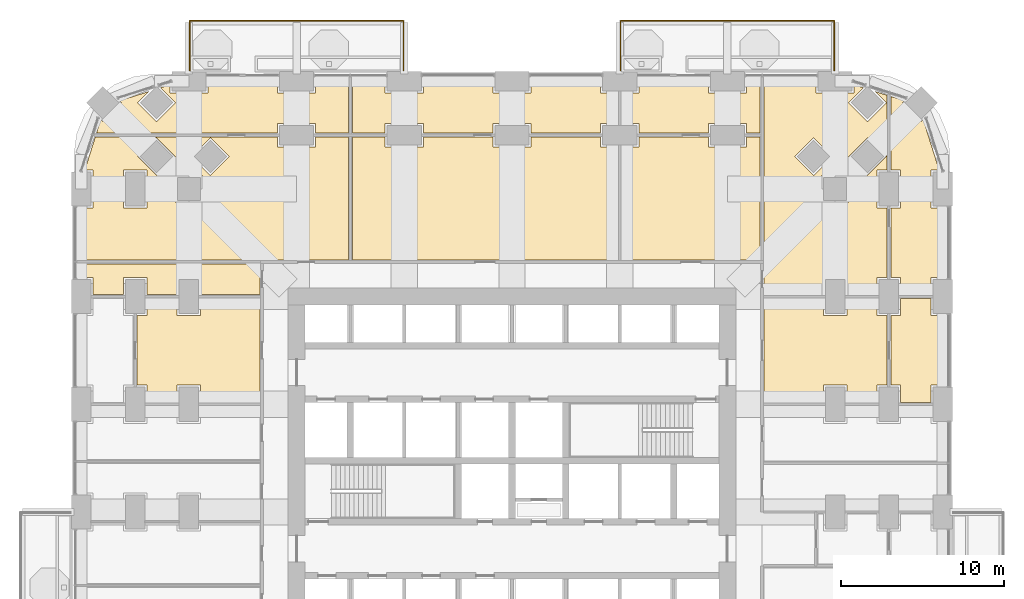
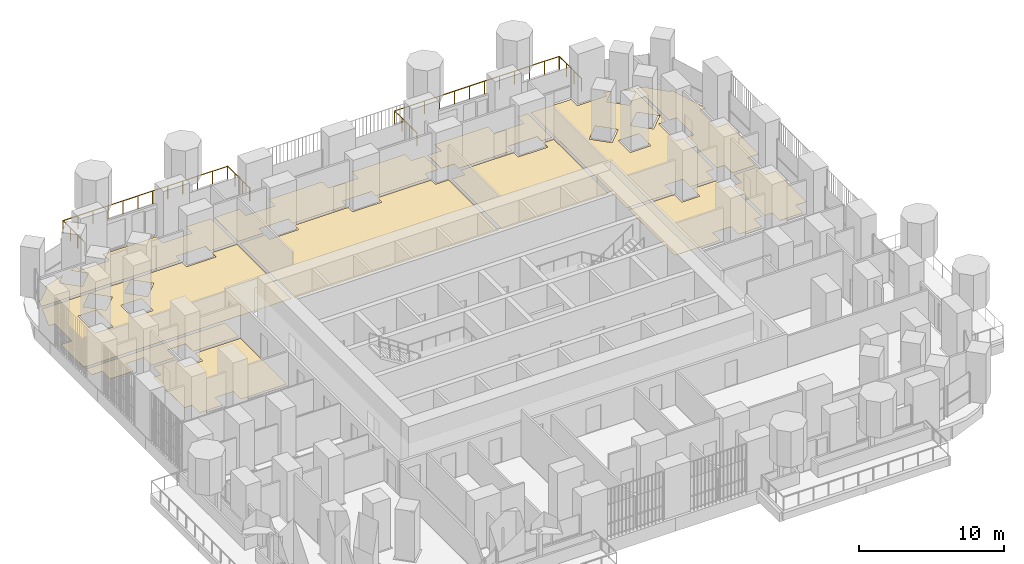
# One storey, part 26 of 27: 12 coverings, 2 railings.
"""IFC4 building model written with IfcOpenShell, lengths in metres."""

from ifc_helpers import new_model, si_unit, direction, frame, origin, place, context, subcontext, project, spatial, polyline, outline, extrude, material, layer, layer_set, type_object, element, save


model = new_model("IFC4")

# Units and contexts
model_context = context("Model", 3, precision=1e-05, world=origin(), true_north=direction((0.0, 1.0)))
body_context = subcontext(model_context, "Body", "Model", "MODEL_VIEW")
ifc_project = project(units=[si_unit("LENGTHUNIT", "METRE"), si_unit("AREAUNIT", "SQUARE_METRE"), si_unit("VOLUMEUNIT", "CUBIC_METRE"), si_unit("PLANEANGLEUNIT", "RADIAN"), si_unit("MASSUNIT", "GRAM", prefix="KILO")], contexts=[model_context])

# Site, building, storey
site_placement = place(None, origin())
site = spatial("IfcSite", under=ifc_project, at=site_placement, CompositionType="ELEMENT")
building_placement = place(site_placement, origin())
building = spatial("IfcBuilding", under=site, at=building_placement, Name="Cobogo Forest Laboratory Tower", CompositionType="ELEMENT")
storey_placement = place(building_placement, frame((0.0, 0.0, 63.300048828125)))
storey = spatial("IfcBuildingStorey", under=building, at=storey_placement, Name="L14", CompositionType="ELEMENT", Elevation=63.300048828125)

# Railings
ifc_material_1 = material(Name="Laminated glass balustrade", Category="glass")
railing_type = type_object("IfcRailingType", Name="BG1 glass balustrade 1100", PredefinedType="GUARDRAIL", material=ifc_material_1)
railing_1_placement = place(storey_placement, frame((6.64990234375, 46.85009765625, 0.0)))
element("IfcRailing", 1, at=railing_1_placement, inside=storey, type_object=railing_type, Name="Balcony balustrade BAL-N1 L14", PredefinedType="GUARDRAIL", context=body_context, shape_type="SweptSolid", body=[
    extrude(outline(polyline([(0.022216796875, 0.00927734375), (0.00927734375, 0.022216796875), (-0.00927734375, 0.022216796875), (-0.022216796875, 0.00927734375), (-0.022216796875, -0.00927734375), (-0.00927734375, -0.022216796875), (0.00927734375, -0.022216796875), (0.022216796875, -0.00927734375), (0.022216796875, 0.00927734375)])), frame((0.0, 0.0, 1.077880859375), z_axis=(0.0, 1.0, 0.0), x_axis=(-1.0, 0.0, 0.0)), (0.0, 0.0, 1.0), 3.0498046875),
    extrude(outline(polyline([(0.022216796875, 0.00927734375), (0.00927734375, 0.022216796875), (-0.00927734375, 0.022216796875), (-0.022216796875, 0.00927734375), (-0.022216796875, -0.00927734375), (-0.00927734375, -0.022216796875), (0.00927734375, -0.022216796875), (0.022216796875, -0.00927734375), (0.022216796875, 0.00927734375)])), frame((0.0, 3.0498046875, 1.077880859375), z_axis=(1.0, 0.0, 0.0), x_axis=(0.0, 1.0, 0.0)), (0.0, 0.0, 1.0), 13.10009765625),
    extrude(outline(polyline([(0.022216796875, 0.00927734375), (0.00927734375, 0.022216796875), (-0.00927734375, 0.022216796875), (-0.022216796875, 0.00927734375), (-0.022216796875, -0.00927734375), (-0.00927734375, -0.022216796875), (0.00927734375, -0.022216796875), (0.022216796875, -0.00927734375), (0.022216796875, 0.00927734375)])), frame((13.10009765625, 3.0498046875, 1.077880859375), z_axis=(0.0, -1.0, 0.0), x_axis=(1.0, 0.0, 0.0)), (0.0, 0.0, 1.0), 3.0498046875),
    extrude(outline(polyline([(0.019287109375, 0.008056640625), (0.008056640625, 0.019287109375), (-0.008056640625, 0.019287109375), (-0.019287109375, 0.008056640625), (-0.019287109375, -0.008056640625), (-0.008056640625, -0.019287109375), (0.008056640625, -0.019287109375), (0.019287109375, -0.008056640625), (0.019287109375, 0.008056640625)])), origin(), (0.0, 0.0, 1.0), 1.077880859375),
    extrude(outline(polyline([(0.019287109375, 0.008056640625), (0.008056640625, 0.019287109375), (-0.008056640625, 0.019287109375), (-0.019287109375, 0.008056640625), (-0.019287109375, -0.008056640625), (-0.008056640625, -0.019287109375), (0.008056640625, -0.019287109375), (0.019287109375, -0.008056640625), (0.019287109375, 0.008056640625)])), frame((0.0, 1.0166015625, 0.0)), (0.0, 0.0, 1.0), 1.077880859375),
    extrude(outline(polyline([(0.019287109375, 0.008056640625), (0.008056640625, 0.019287109375), (-0.008056640625, 0.019287109375), (-0.019287109375, 0.008056640625), (-0.019287109375, -0.008056640625), (-0.008056640625, -0.019287109375), (0.008056640625, -0.019287109375), (0.019287109375, -0.008056640625), (0.019287109375, 0.008056640625)])), frame((0.0, 2.033203125, 0.0)), (0.0, 0.0, 1.0), 1.077880859375),
    extrude(outline(polyline([(0.019287109375, 0.008056640625), (0.008056640625, 0.019287109375), (-0.008056640625, 0.019287109375), (-0.019287109375, 0.008056640625), (-0.019287109375, -0.008056640625), (-0.008056640625, -0.019287109375), (0.008056640625, -0.019287109375), (0.019287109375, -0.008056640625), (0.019287109375, 0.008056640625)])), frame((0.0, 3.0498046875, 0.0)), (0.0, 0.0, 1.0), 1.077880859375),
    extrude(outline(polyline([(0.019287109375, 0.008056640625), (0.008056640625, 0.019287109375), (-0.008056640625, 0.019287109375), (-0.019287109375, 0.008056640625), (-0.019287109375, -0.008056640625), (-0.008056640625, -0.019287109375), (0.008056640625, -0.019287109375), (0.019287109375, -0.008056640625), (0.019287109375, 0.008056640625)])), frame((1.19091796875, 3.0498046875, 0.0)), (0.0, 0.0, 1.0), 1.077880859375),
    extrude(outline(polyline([(0.019287109375, 0.008056640625), (0.008056640625, 0.019287109375), (-0.008056640625, 0.019287109375), (-0.019287109375, 0.008056640625), (-0.019287109375, -0.008056640625), (-0.008056640625, -0.019287109375), (0.008056640625, -0.019287109375), (0.019287109375, -0.008056640625), (0.019287109375, 0.008056640625)])), frame((2.3818359375, 3.0498046875, 0.0)), (0.0, 0.0, 1.0), 1.077880859375),
    extrude(outline(polyline([(0.019287109375, 0.008056640625), (0.008056640625, 0.019287109375), (-0.008056640625, 0.019287109375), (-0.019287109375, 0.008056640625), (-0.019287109375, -0.008056640625), (-0.008056640625, -0.019287109375), (0.008056640625, -0.019287109375), (0.019287109375, -0.008056640625), (0.019287109375, 0.008056640625)])), frame((3.57275390625, 3.0498046875, 0.0)), (0.0, 0.0, 1.0), 1.077880859375),
    extrude(outline(polyline([(0.019287109375, 0.008056640625), (0.008056640625, 0.019287109375), (-0.008056640625, 0.019287109375), (-0.019287109375, 0.008056640625), (-0.019287109375, -0.008056640625), (-0.008056640625, -0.019287109375), (0.008056640625, -0.019287109375), (0.019287109375, -0.008056640625), (0.019287109375, 0.008056640625)])), frame((4.763671875, 3.0498046875, 0.0)), (0.0, 0.0, 1.0), 1.077880859375),
    extrude(outline(polyline([(0.019287109375, 0.008056640625), (0.008056640625, 0.019287109375), (-0.008056640625, 0.019287109375), (-0.019287109375, 0.008056640625), (-0.019287109375, -0.008056640625), (-0.008056640625, -0.019287109375), (0.008056640625, -0.019287109375), (0.019287109375, -0.008056640625), (0.019287109375, 0.008056640625)])), frame((5.95458984375, 3.0498046875, 0.0)), (0.0, 0.0, 1.0), 1.077880859375),
    extrude(outline(polyline([(0.019287109375, 0.008056640625), (0.008056640625, 0.019287109375), (-0.008056640625, 0.019287109375), (-0.019287109375, 0.008056640625), (-0.019287109375, -0.008056640625), (-0.008056640625, -0.019287109375), (0.008056640625, -0.019287109375), (0.019287109375, -0.008056640625), (0.019287109375, 0.008056640625)])), frame((7.1455078125, 3.0498046875, 0.0)), (0.0, 0.0, 1.0), 1.077880859375),
    extrude(outline(polyline([(0.019287109375, 0.008056640625), (0.008056640625, 0.019287109375), (-0.008056640625, 0.019287109375), (-0.019287109375, 0.008056640625), (-0.019287109375, -0.008056640625), (-0.008056640625, -0.019287109375), (0.008056640625, -0.019287109375), (0.019287109375, -0.008056640625), (0.019287109375, 0.008056640625)])), frame((8.33642578125, 3.0498046875, 0.0)), (0.0, 0.0, 1.0), 1.077880859375),
    extrude(outline(polyline([(0.019287109375, 0.008056640625), (0.008056640625, 0.019287109375), (-0.008056640625, 0.019287109375), (-0.019287109375, 0.008056640625), (-0.019287109375, -0.008056640625), (-0.008056640625, -0.019287109375), (0.008056640625, -0.019287109375), (0.019287109375, -0.008056640625), (0.019287109375, 0.008056640625)])), frame((9.52734375, 3.0498046875, 0.0)), (0.0, 0.0, 1.0), 1.077880859375),
    extrude(outline(polyline([(0.019287109375, 0.008056640625), (0.008056640625, 0.019287109375), (-0.008056640625, 0.019287109375), (-0.019287109375, 0.008056640625), (-0.019287109375, -0.008056640625), (-0.008056640625, -0.019287109375), (0.008056640625, -0.019287109375), (0.019287109375, -0.008056640625), (0.019287109375, 0.008056640625)])), frame((10.71826171875, 3.0498046875, 0.0)), (0.0, 0.0, 1.0), 1.077880859375),
    extrude(outline(polyline([(0.019287109375, 0.008056640625), (0.008056640625, 0.019287109375), (-0.008056640625, 0.019287109375), (-0.019287109375, 0.008056640625), (-0.019287109375, -0.008056640625), (-0.008056640625, -0.019287109375), (0.008056640625, -0.019287109375), (0.019287109375, -0.008056640625), (0.019287109375, 0.008056640625)])), frame((11.9091796875, 3.0498046875, 0.0)), (0.0, 0.0, 1.0), 1.077880859375),
    extrude(outline(polyline([(0.019287109375, 0.008056640625), (0.008056640625, 0.019287109375), (-0.008056640625, 0.019287109375), (-0.019287109375, 0.008056640625), (-0.019287109375, -0.008056640625), (-0.008056640625, -0.019287109375), (0.008056640625, -0.019287109375), (0.019287109375, -0.008056640625), (0.019287109375, 0.008056640625)])), frame((13.10009765625, 3.0498046875, 0.0)), (0.0, 0.0, 1.0), 1.077880859375),
    extrude(outline(polyline([(0.019287109375, 0.008056640625), (0.008056640625, 0.019287109375), (-0.008056640625, 0.019287109375), (-0.019287109375, 0.008056640625), (-0.019287109375, -0.008056640625), (-0.008056640625, -0.019287109375), (0.008056640625, -0.019287109375), (0.019287109375, -0.008056640625), (0.019287109375, 0.008056640625)])), frame((13.10009765625, 2.033203125, 0.0)), (0.0, 0.0, 1.0), 1.077880859375),
    extrude(outline(polyline([(0.019287109375, 0.008056640625), (0.008056640625, 0.019287109375), (-0.008056640625, 0.019287109375), (-0.019287109375, 0.008056640625), (-0.019287109375, -0.008056640625), (-0.008056640625, -0.019287109375), (0.008056640625, -0.019287109375), (0.019287109375, -0.008056640625), (0.019287109375, 0.008056640625)])), frame((13.10009765625, 1.0166015625, 0.0)), (0.0, 0.0, 1.0), 1.077880859375),
    extrude(outline(polyline([(0.019287109375, 0.008056640625), (0.008056640625, 0.019287109375), (-0.008056640625, 0.019287109375), (-0.019287109375, 0.008056640625), (-0.019287109375, -0.008056640625), (-0.008056640625, -0.019287109375), (0.008056640625, -0.019287109375), (0.019287109375, -0.008056640625), (0.019287109375, 0.008056640625)])), frame((13.10009765625, 0.0, 0.0)), (0.0, 0.0, 1.0), 1.077880859375),
])
railing_2_placement = place(storey_placement, frame((33.050048828125, 46.85009765625, 0.0)))
element("IfcRailing", 2, at=railing_2_placement, inside=storey, type_object=railing_type, Name="Balcony balustrade BAL-N2 L14", PredefinedType="GUARDRAIL", context=body_context, shape_type="SweptSolid", body=[
    extrude(outline(polyline([(0.022216796875, 0.00927734375), (0.00927734375, 0.022216796875), (-0.00927734375, 0.022216796875), (-0.022216796875, 0.00927734375), (-0.022216796875, -0.00927734375), (-0.00927734375, -0.022216796875), (0.00927734375, -0.022216796875), (0.022216796875, -0.00927734375), (0.022216796875, 0.00927734375)])), frame((0.0, 0.0, 1.077880859375), z_axis=(0.0, 1.0, 0.0), x_axis=(-1.0, 0.0, 0.0)), (0.0, 0.0, 1.0), 3.0498046875),
    extrude(outline(polyline([(0.022216796875, 0.00927734375), (0.00927734375, 0.022216796875), (-0.00927734375, 0.022216796875), (-0.022216796875, 0.00927734375), (-0.022216796875, -0.00927734375), (-0.00927734375, -0.022216796875), (0.00927734375, -0.022216796875), (0.022216796875, -0.00927734375), (0.022216796875, 0.00927734375)])), frame((0.0, 3.0498046875, 1.077880859375), z_axis=(1.0, 0.0, 0.0), x_axis=(0.0, 1.0, 0.0)), (0.0, 0.0, 1.0), 13.099853515625),
    extrude(outline(polyline([(0.022216796875, 0.00927734375), (0.00927734375, 0.022216796875), (-0.00927734375, 0.022216796875), (-0.022216796875, 0.00927734375), (-0.022216796875, -0.00927734375), (-0.00927734375, -0.022216796875), (0.00927734375, -0.022216796875), (0.022216796875, -0.00927734375), (0.022216796875, 0.00927734375)])), frame((13.099853515625, 3.0498046875, 1.077880859375), z_axis=(0.0, -1.0, 0.0), x_axis=(1.0, 0.0, 0.0)), (0.0, 0.0, 1.0), 3.0498046875),
    extrude(outline(polyline([(0.019287109375, 0.008056640625), (0.008056640625, 0.019287109375), (-0.008056640625, 0.019287109375), (-0.019287109375, 0.008056640625), (-0.019287109375, -0.008056640625), (-0.008056640625, -0.019287109375), (0.008056640625, -0.019287109375), (0.019287109375, -0.008056640625), (0.019287109375, 0.008056640625)])), origin(), (0.0, 0.0, 1.0), 1.077880859375),
    extrude(outline(polyline([(0.019287109375, 0.008056640625), (0.008056640625, 0.019287109375), (-0.008056640625, 0.019287109375), (-0.019287109375, 0.008056640625), (-0.019287109375, -0.008056640625), (-0.008056640625, -0.019287109375), (0.008056640625, -0.019287109375), (0.019287109375, -0.008056640625), (0.019287109375, 0.008056640625)])), frame((0.0, 1.0166015625, 0.0)), (0.0, 0.0, 1.0), 1.077880859375),
    extrude(outline(polyline([(0.019287109375, 0.008056640625), (0.008056640625, 0.019287109375), (-0.008056640625, 0.019287109375), (-0.019287109375, 0.008056640625), (-0.019287109375, -0.008056640625), (-0.008056640625, -0.019287109375), (0.008056640625, -0.019287109375), (0.019287109375, -0.008056640625), (0.019287109375, 0.008056640625)])), frame((0.0, 2.033203125, 0.0)), (0.0, 0.0, 1.0), 1.077880859375),
    extrude(outline(polyline([(0.019287109375, 0.008056640625), (0.008056640625, 0.019287109375), (-0.008056640625, 0.019287109375), (-0.019287109375, 0.008056640625), (-0.019287109375, -0.008056640625), (-0.008056640625, -0.019287109375), (0.008056640625, -0.019287109375), (0.019287109375, -0.008056640625), (0.019287109375, 0.008056640625)])), frame((0.0, 3.0498046875, 0.0)), (0.0, 0.0, 1.0), 1.077880859375),
    extrude(outline(polyline([(0.019287109375, 0.008056640625), (0.008056640625, 0.019287109375), (-0.008056640625, 0.019287109375), (-0.019287109375, 0.008056640625), (-0.019287109375, -0.008056640625), (-0.008056640625, -0.019287109375), (0.008056640625, -0.019287109375), (0.019287109375, -0.008056640625), (0.019287109375, 0.008056640625)])), frame((1.19091796875, 3.0498046875, 0.0)), (0.0, 0.0, 1.0), 1.077880859375),
    extrude(outline(polyline([(0.019287109375, 0.008056640625), (0.008056640625, 0.019287109375), (-0.008056640625, 0.019287109375), (-0.019287109375, 0.008056640625), (-0.019287109375, -0.008056640625), (-0.008056640625, -0.019287109375), (0.008056640625, -0.019287109375), (0.019287109375, -0.008056640625), (0.019287109375, 0.008056640625)])), frame((2.3818359375, 3.0498046875, 0.0)), (0.0, 0.0, 1.0), 1.077880859375),
    extrude(outline(polyline([(0.019287109375, 0.008056640625), (0.008056640625, 0.019287109375), (-0.008056640625, 0.019287109375), (-0.019287109375, 0.008056640625), (-0.019287109375, -0.008056640625), (-0.008056640625, -0.019287109375), (0.008056640625, -0.019287109375), (0.019287109375, -0.008056640625), (0.019287109375, 0.008056640625)])), frame((3.57275390625, 3.0498046875, 0.0)), (0.0, 0.0, 1.0), 1.077880859375),
    extrude(outline(polyline([(0.019287109375, 0.008056640625), (0.008056640625, 0.019287109375), (-0.008056640625, 0.019287109375), (-0.019287109375, 0.008056640625), (-0.019287109375, -0.008056640625), (-0.008056640625, -0.019287109375), (0.008056640625, -0.019287109375), (0.019287109375, -0.008056640625), (0.019287109375, 0.008056640625)])), frame((4.763671875, 3.0498046875, 0.0)), (0.0, 0.0, 1.0), 1.077880859375),
    extrude(outline(polyline([(0.019287109375, 0.008056640625), (0.008056640625, 0.019287109375), (-0.008056640625, 0.019287109375), (-0.019287109375, 0.008056640625), (-0.019287109375, -0.008056640625), (-0.008056640625, -0.019287109375), (0.008056640625, -0.019287109375), (0.019287109375, -0.008056640625), (0.019287109375, 0.008056640625)])), frame((5.95458984375, 3.0498046875, 0.0)), (0.0, 0.0, 1.0), 1.077880859375),
    extrude(outline(polyline([(0.019287109375, 0.008056640625), (0.008056640625, 0.019287109375), (-0.008056640625, 0.019287109375), (-0.019287109375, 0.008056640625), (-0.019287109375, -0.008056640625), (-0.008056640625, -0.019287109375), (0.008056640625, -0.019287109375), (0.019287109375, -0.008056640625), (0.019287109375, 0.008056640625)])), frame((7.145263671875, 3.0498046875, 0.0)), (0.0, 0.0, 1.0), 1.077880859375),
    extrude(outline(polyline([(0.019287109375, 0.008056640625), (0.008056640625, 0.019287109375), (-0.008056640625, 0.019287109375), (-0.019287109375, 0.008056640625), (-0.019287109375, -0.008056640625), (-0.008056640625, -0.019287109375), (0.008056640625, -0.019287109375), (0.019287109375, -0.008056640625), (0.019287109375, 0.008056640625)])), frame((8.336181640625, 3.0498046875, 0.0)), (0.0, 0.0, 1.0), 1.077880859375),
    extrude(outline(polyline([(0.019287109375, 0.008056640625), (0.008056640625, 0.019287109375), (-0.008056640625, 0.019287109375), (-0.019287109375, 0.008056640625), (-0.019287109375, -0.008056640625), (-0.008056640625, -0.019287109375), (0.008056640625, -0.019287109375), (0.019287109375, -0.008056640625), (0.019287109375, 0.008056640625)])), frame((9.527099609375, 3.0498046875, 0.0)), (0.0, 0.0, 1.0), 1.077880859375),
    extrude(outline(polyline([(0.019287109375, 0.008056640625), (0.008056640625, 0.019287109375), (-0.008056640625, 0.019287109375), (-0.019287109375, 0.008056640625), (-0.019287109375, -0.008056640625), (-0.008056640625, -0.019287109375), (0.008056640625, -0.019287109375), (0.019287109375, -0.008056640625), (0.019287109375, 0.008056640625)])), frame((10.718017578125, 3.0498046875, 0.0)), (0.0, 0.0, 1.0), 1.077880859375),
    extrude(outline(polyline([(0.019287109375, 0.008056640625), (0.008056640625, 0.019287109375), (-0.008056640625, 0.019287109375), (-0.019287109375, 0.008056640625), (-0.019287109375, -0.008056640625), (-0.008056640625, -0.019287109375), (0.008056640625, -0.019287109375), (0.019287109375, -0.008056640625), (0.019287109375, 0.008056640625)])), frame((11.908935546875, 3.0498046875, 0.0)), (0.0, 0.0, 1.0), 1.077880859375),
    extrude(outline(polyline([(0.019287109375, 0.008056640625), (0.008056640625, 0.019287109375), (-0.008056640625, 0.019287109375), (-0.019287109375, 0.008056640625), (-0.019287109375, -0.008056640625), (-0.008056640625, -0.019287109375), (0.008056640625, -0.019287109375), (0.019287109375, -0.008056640625), (0.019287109375, 0.008056640625)])), frame((13.099853515625, 3.0498046875, 0.0)), (0.0, 0.0, 1.0), 1.077880859375),
    extrude(outline(polyline([(0.019287109375, 0.008056640625), (0.008056640625, 0.019287109375), (-0.008056640625, 0.019287109375), (-0.019287109375, 0.008056640625), (-0.019287109375, -0.008056640625), (-0.008056640625, -0.019287109375), (0.008056640625, -0.019287109375), (0.019287109375, -0.008056640625), (0.019287109375, 0.008056640625)])), frame((13.099853515625, 2.033203125, 0.0)), (0.0, 0.0, 1.0), 1.077880859375),
    extrude(outline(polyline([(0.019287109375, 0.008056640625), (0.008056640625, 0.019287109375), (-0.008056640625, 0.019287109375), (-0.019287109375, 0.008056640625), (-0.019287109375, -0.008056640625), (-0.008056640625, -0.019287109375), (0.008056640625, -0.019287109375), (0.019287109375, -0.008056640625), (0.019287109375, 0.008056640625)])), frame((13.099853515625, 1.0166015625, 0.0)), (0.0, 0.0, 1.0), 1.077880859375),
    extrude(outline(polyline([(0.019287109375, 0.008056640625), (0.008056640625, 0.019287109375), (-0.008056640625, 0.019287109375), (-0.019287109375, 0.008056640625), (-0.019287109375, -0.008056640625), (-0.008056640625, -0.019287109375), (0.008056640625, -0.019287109375), (0.019287109375, -0.008056640625), (0.019287109375, 0.008056640625)])), frame((13.099853515625, 0.0, 0.0)), (0.0, 0.0, 1.0), 1.077880859375),
])

# Coverings
ifc_material_2 = material(Name="Carpet tile on raised access floor", Category="flooring")
ifc_layer_1 = layer(ifc_material_2, 0.008056640625)
ifc_layer_set_1 = layer_set([ifc_layer_1], Name="CT1 carpet tile floor 8")
covering_type_1 = type_object("IfcCoveringType", Name="CT1 carpet tile floor 8", PredefinedType="FLOORING", material=ifc_layer_set_1)
covering_1_placement = place(storey_placement, origin())
element("IfcCovering", 3, at=covering_1_placement, inside=storey, type_object=covering_type_1, Name="Carpet floor L14-19", PredefinedType="FLOORING", context=body_context, shape_type="SweptSolid", body=[
    extrude(outline(polyline([(49.6201171875, 31.830078125), (50.219970703125, 31.830078125), (50.219970703125, 32.8798828125), (52.080078125, 32.8798828125), (52.080078125, 31.830078125), (52.949951171875, 31.830078125), (52.949951171875, 27.570068359375), (52.080078125, 27.570068359375), (52.080078125, 26.52001953125), (50.219970703125, 26.52001953125), (50.219970703125, 27.570068359375), (49.6201171875, 27.570068359375), (49.6201171875, 31.830078125)])), origin(), (0.0, 0.0, 1.0), 0.008056640625),
])
covering_2_placement = place(storey_placement, origin())
element("IfcCovering", 4, at=covering_2_placement, inside=storey, type_object=covering_type_1, Name="Carpet floor L14-21", PredefinedType="FLOORING", context=body_context, shape_type="SweptSolid", body=[
    extrude(outline(polyline([(49.6201171875, 38.429931640625), (50.219970703125, 38.429931640625), (50.219970703125, 40.77001953125), (49.6201171875, 40.77001953125), (49.6201171875, 45.26025390625), (50.441162109375, 45.0009765625), (50.322265625, 44.882080078125), (51.48193359375, 43.722412109375), (51.600830078125, 43.84130859375), (52.57080078125, 40.77001953125), (52.080078125, 40.77001953125), (52.080078125, 38.429931640625), (52.949951171875, 38.429931640625), (52.949951171875, 34.169921875), (52.080078125, 34.169921875), (52.080078125, 33.1201171875), (50.219970703125, 33.1201171875), (50.219970703125, 34.169921875), (49.6201171875, 34.169921875), (49.6201171875, 38.429931640625)])), origin(), (0.0, 0.0, 1.0), 0.008056640625),
])
covering_3_placement = place(storey_placement, origin())
element("IfcCovering", 5, at=covering_3_placement, inside=storey, type_object=covering_type_1, Name="Carpet floor L14-23", PredefinedType="FLOORING", context=body_context, shape_type="SweptSolid", body=[
    extrude(outline(polyline([(14.3701171875, 43.02001953125), (14.3701171875, 43.6201171875), (12.030029296875, 43.6201171875), (12.030029296875, 43.02001953125), (0.939697265625, 43.02001953125), (1.19921875, 43.84130859375), (1.318115234375, 43.722412109375), (2.477783203125, 44.882080078125), (2.358642578125, 45.0009765625), (4.1396484375, 45.563232421875), (3.458251953125, 44.882080078125), (4.617919921875, 43.722412109375), (5.777587890625, 44.882080078125), (4.86669921875, 45.79296875), (5.429931640625, 45.970703125), (5.429931640625, 45.47998046875), (7.77001953125, 45.47998046875), (7.77001953125, 46.35009765625), (12.030029296875, 46.35009765625), (12.030029296875, 45.47998046875), (14.3701171875, 45.47998046875), (14.3701171875, 46.35009765625), (16.3798828125, 46.35009765625), (16.3798828125, 43.02001953125), (14.3701171875, 43.02001953125)])), origin(), (0.0, 0.0, 1.0), 0.008056640625),
])
covering_4_placement = place(storey_placement, origin())
element("IfcCovering", 6, at=covering_4_placement, inside=storey, type_object=covering_type_1, Name="Carpet floor L14-25", PredefinedType="FLOORING", context=body_context, shape_type="SweptSolid", body=[
    extrude(outline(polyline([(27.570068359375, 43.02001953125), (27.570068359375, 43.6201171875), (25.22998046875, 43.6201171875), (25.22998046875, 43.02001953125), (20.969970703125, 43.02001953125), (20.969970703125, 43.6201171875), (18.6298828125, 43.6201171875), (18.6298828125, 43.02001953125), (16.6201171875, 43.02001953125), (16.6201171875, 46.35009765625), (18.6298828125, 46.35009765625), (18.6298828125, 45.47998046875), (20.969970703125, 45.47998046875), (20.969970703125, 46.35009765625), (25.22998046875, 46.35009765625), (25.22998046875, 45.47998046875), (27.570068359375, 45.47998046875), (27.570068359375, 46.35009765625), (31.830078125, 46.35009765625), (31.830078125, 45.47998046875), (32.8798828125, 45.47998046875), (32.8798828125, 43.6201171875), (31.830078125, 43.6201171875), (31.830078125, 43.02001953125), (27.570068359375, 43.02001953125)])), origin(), (0.0, 0.0, 1.0), 0.008056640625),
])
covering_5_placement = place(storey_placement, origin())
element("IfcCovering", 7, at=covering_5_placement, inside=storey, type_object=covering_type_1, Name="Carpet floor L14-27", PredefinedType="FLOORING", context=body_context, shape_type="SweptSolid", body=[
    extrude(outline(polyline([(40.77001953125, 43.02001953125), (40.77001953125, 43.6201171875), (38.429931640625, 43.6201171875), (38.429931640625, 43.02001953125), (34.169921875, 43.02001953125), (34.169921875, 43.6201171875), (33.1201171875, 43.6201171875), (33.1201171875, 45.47998046875), (34.169921875, 45.47998046875), (34.169921875, 46.35009765625), (38.429931640625, 46.35009765625), (38.429931640625, 45.47998046875), (40.77001953125, 45.47998046875), (40.77001953125, 46.35009765625), (41.60498046875, 46.35009765625), (41.60498046875, 43.02001953125), (40.77001953125, 43.02001953125)])), origin(), (0.0, 0.0, 1.0), 0.008056640625),
])
covering_6_placement = place(storey_placement, origin())
element("IfcCovering", 8, at=covering_6_placement, inside=storey, type_object=covering_type_1, Name="Carpet floor L14-36", PredefinedType="FLOORING", context=body_context, shape_type="SweptSolid", body=[
    extrude(outline(polyline([(10.955078125, 33.1201171875), (7.320068359375, 33.1201171875), (7.320068359375, 34.169921875), (5.8798828125, 34.169921875), (5.8798828125, 33.1201171875), (4.02001953125, 33.1201171875), (4.02001953125, 34.169921875), (2.580078125, 34.169921875), (2.580078125, 33.1201171875), (0.719970703125, 33.1201171875), (0.719970703125, 34.169921875), (-0.14990234375, 34.169921875), (-0.14990234375, 35.0048828125), (10.955078125, 35.0048828125), (10.955078125, 33.1201171875)])), origin(), (0.0, 0.0, 1.0), 0.008056640625),
])
ifc_material_3 = material(Name="Epoxy resin flooring", Category="flooring")
ifc_layer_2 = layer(ifc_material_3, 0.00390625)
ifc_layer_set_2 = layer_set([ifc_layer_2], Name="LF1 epoxy laboratory floor 4")
covering_type_2 = type_object("IfcCoveringType", Name="LF1 epoxy laboratory floor 4", PredefinedType="FLOORING", material=ifc_layer_set_2)
covering_7_placement = place(storey_placement, origin())
element("IfcCovering", 9, at=covering_7_placement, inside=storey, type_object=covering_type_2, Name="Epoxy laboratory floor L14-18", PredefinedType="FLOORING", context=body_context, shape_type="SweptSolid", body=[
    extrude(outline(polyline([(41.844970703125, 32.8798828125), (45.47998046875, 32.8798828125), (45.47998046875, 31.830078125), (46.919921875, 31.830078125), (46.919921875, 32.8798828125), (48.780029296875, 32.8798828125), (48.780029296875, 31.830078125), (49.3798828125, 31.830078125), (49.3798828125, 27.570068359375), (48.780029296875, 27.570068359375), (48.780029296875, 26.52001953125), (46.919921875, 26.52001953125), (46.919921875, 27.570068359375), (45.47998046875, 27.570068359375), (45.47998046875, 26.52001953125), (41.844970703125, 26.52001953125), (41.844970703125, 32.8798828125)])), origin(), (0.0, 0.0, 1.0), 0.00390625),
])
covering_8_placement = place(storey_placement, origin())
element("IfcCovering", 10, at=covering_8_placement, inside=storey, type_object=covering_type_2, Name="Epoxy laboratory floor L14-20", PredefinedType="FLOORING", context=body_context, shape_type="SweptSolid", body=[
    extrude(outline(polyline([(46.919921875, 33.1201171875), (46.919921875, 34.169921875), (45.47998046875, 34.169921875), (45.47998046875, 33.1201171875), (41.844970703125, 33.1201171875), (41.844970703125, 46.35009765625), (45.030029296875, 46.35009765625), (45.030029296875, 45.47998046875), (47.3701171875, 45.47998046875), (47.3701171875, 45.970703125), (47.933349609375, 45.79296875), (47.022216796875, 44.882080078125), (48.181884765625, 43.722412109375), (49.341552734375, 44.882080078125), (48.660400390625, 45.563232421875), (49.3798828125, 45.3359375), (49.3798828125, 40.77001953125), (48.780029296875, 40.77001953125), (48.780029296875, 38.429931640625), (49.3798828125, 38.429931640625), (49.3798828125, 34.169921875), (48.780029296875, 34.169921875), (48.780029296875, 33.1201171875), (46.919921875, 33.1201171875)]), holes=[polyline([(47.022216796875, 41.58203125), (48.181884765625, 40.42236328125), (49.341552734375, 41.58203125), (48.181884765625, 42.74169921875), (47.022216796875, 41.58203125)]), polyline([(47.02001953125, 40.419921875), (45.3798828125, 40.419921875), (45.3798828125, 38.780029296875), (47.02001953125, 38.780029296875), (47.02001953125, 40.419921875)]), polyline([(43.722412109375, 41.58203125), (44.882080078125, 40.42236328125), (46.041748046875, 41.58203125), (44.882080078125, 42.74169921875), (43.722412109375, 41.58203125)])]), origin(), (0.0, 0.0, 1.0), 0.00390625),
])
covering_9_placement = place(storey_placement, origin())
element("IfcCovering", 11, at=covering_9_placement, inside=storey, type_object=covering_type_2, Name="Epoxy laboratory floor L14-22", PredefinedType="FLOORING", context=body_context, shape_type="SweptSolid", body=[
    extrude(outline(polyline([(16.3798828125, 35.2451171875), (-0.14990234375, 35.2451171875), (-0.14990234375, 38.429931640625), (0.719970703125, 38.429931640625), (0.719970703125, 40.77001953125), (0.229248046875, 40.77001953125), (0.864013671875, 42.780029296875), (12.030029296875, 42.780029296875), (12.030029296875, 42.179931640625), (14.3701171875, 42.179931640625), (14.3701171875, 42.780029296875), (16.3798828125, 42.780029296875), (16.3798828125, 35.2451171875)]), holes=[polyline([(6.75830078125, 41.58203125), (7.91796875, 40.42236328125), (9.07763671875, 41.58203125), (7.91796875, 42.74169921875), (6.75830078125, 41.58203125)]), polyline([(5.780029296875, 40.419921875), (5.780029296875, 38.780029296875), (7.419921875, 38.780029296875), (7.419921875, 40.419921875), (5.780029296875, 40.419921875)]), polyline([(3.458251953125, 41.58203125), (4.617919921875, 40.42236328125), (5.777587890625, 41.58203125), (4.617919921875, 42.74169921875), (3.458251953125, 41.58203125)]), polyline([(2.580078125, 38.429931640625), (4.02001953125, 38.429931640625), (4.02001953125, 40.77001953125), (2.580078125, 40.77001953125), (2.580078125, 38.429931640625)])]), origin(), (0.0, 0.0, 1.0), 0.00390625),
])
covering_10_placement = place(storey_placement, origin())
element("IfcCovering", 12, at=covering_10_placement, inside=storey, type_object=covering_type_2, Name="Epoxy laboratory floor L14-24", PredefinedType="FLOORING", context=body_context, shape_type="SweptSolid", body=[
    extrude(outline(polyline([(16.6201171875, 42.780029296875), (18.6298828125, 42.780029296875), (18.6298828125, 42.179931640625), (20.969970703125, 42.179931640625), (20.969970703125, 42.780029296875), (25.22998046875, 42.780029296875), (25.22998046875, 42.179931640625), (27.570068359375, 42.179931640625), (27.570068359375, 42.780029296875), (31.830078125, 42.780029296875), (31.830078125, 42.179931640625), (32.8798828125, 42.179931640625), (32.8798828125, 35.2451171875), (16.6201171875, 35.2451171875), (16.6201171875, 42.780029296875)])), origin(), (0.0, 0.0, 1.0), 0.00390625),
])
covering_11_placement = place(storey_placement, origin())
element("IfcCovering", 13, at=covering_11_placement, inside=storey, type_object=covering_type_2, Name="Epoxy laboratory floor L14-26", PredefinedType="FLOORING", context=body_context, shape_type="SweptSolid", body=[
    extrude(outline(polyline([(33.1201171875, 42.179931640625), (34.169921875, 42.179931640625), (34.169921875, 42.780029296875), (38.429931640625, 42.780029296875), (38.429931640625, 42.179931640625), (40.77001953125, 42.179931640625), (40.77001953125, 42.780029296875), (41.60498046875, 42.780029296875), (41.60498046875, 35.2451171875), (33.1201171875, 35.2451171875), (33.1201171875, 42.179931640625)])), origin(), (0.0, 0.0, 1.0), 0.00390625),
])
covering_12_placement = place(storey_placement, origin())
element("IfcCovering", 14, at=covering_12_placement, inside=storey, type_object=covering_type_2, Name="Epoxy laboratory floor L14-34", PredefinedType="FLOORING", context=body_context, shape_type="SweptSolid", body=[
    extrude(outline(polyline([(3.419921875, 31.830078125), (4.02001953125, 31.830078125), (4.02001953125, 32.8798828125), (5.8798828125, 32.8798828125), (5.8798828125, 31.830078125), (7.320068359375, 31.830078125), (7.320068359375, 32.8798828125), (10.955078125, 32.8798828125), (10.955078125, 26.52001953125), (7.320068359375, 26.52001953125), (7.320068359375, 27.570068359375), (5.8798828125, 27.570068359375), (5.8798828125, 26.52001953125), (4.02001953125, 26.52001953125), (4.02001953125, 27.570068359375), (3.419921875, 27.570068359375), (3.419921875, 31.830078125)])), origin(), (0.0, 0.0, 1.0), 0.00390625),
])

save(model, "model.ifc")
